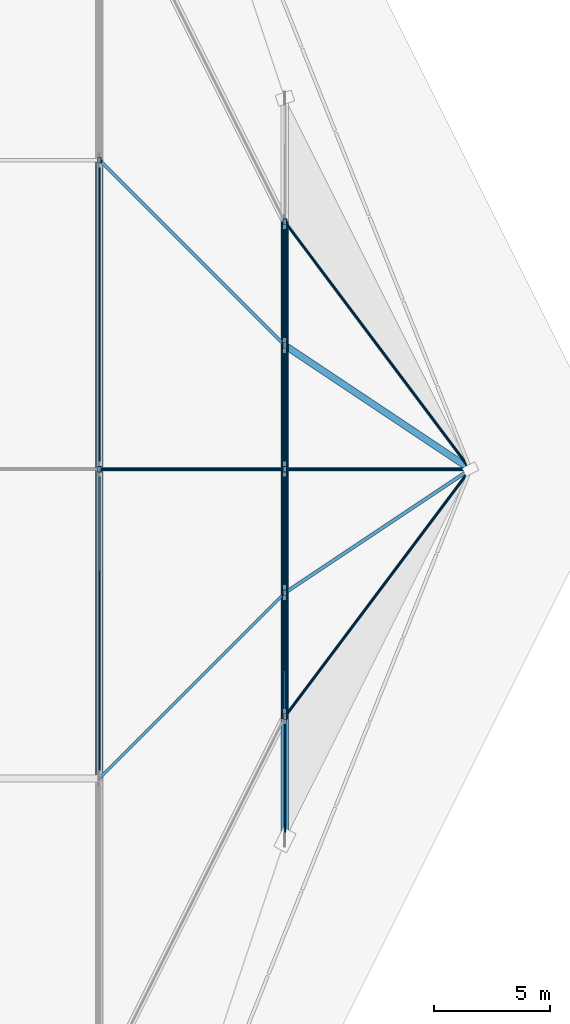
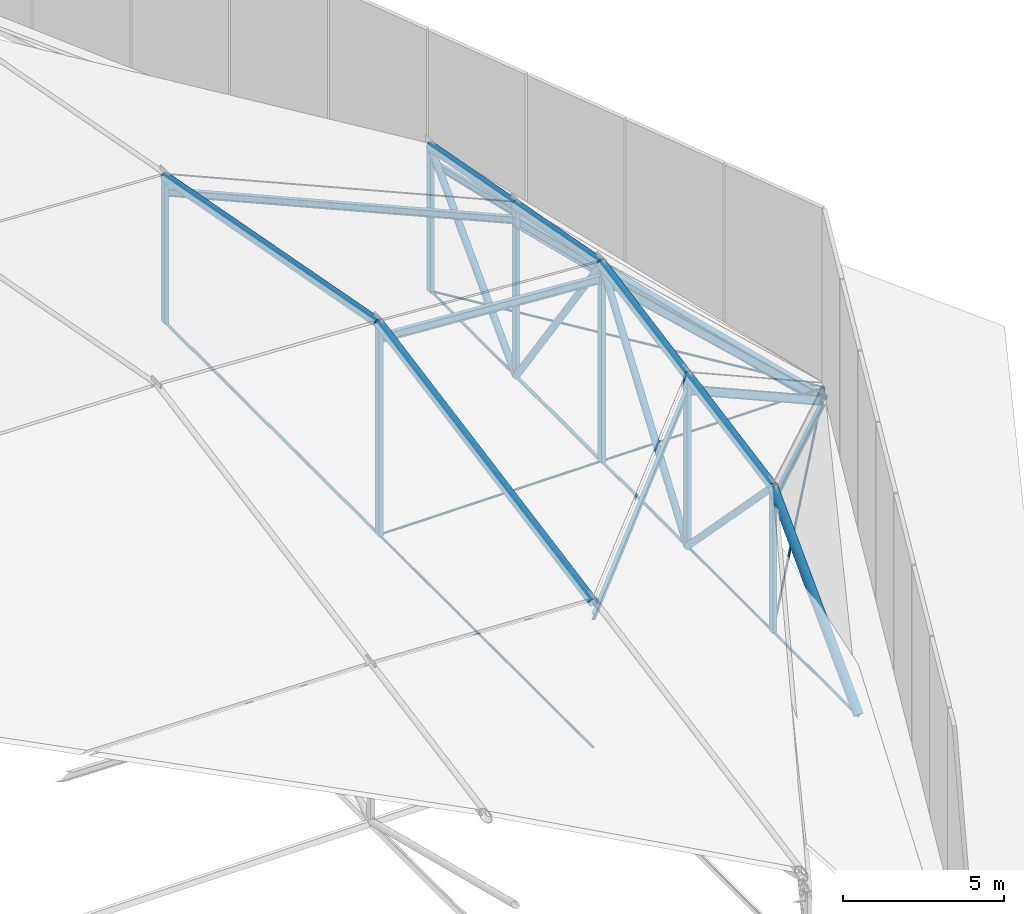
# One storey, part 16 of 30: 37 members.
"""IFC4 building model written with IfcOpenShell, lengths in metres."""

from ifc_helpers import new_model, si_unit, direction, frame, origin, origin_2d, place, context, subcontext, project, spatial, hollow_rectangle, circle, hollow_circle, i_section, extrude, material, material_profile, profile_set, type_object, element, save


model = new_model("IFC4")

# Units and contexts
model_context = context("Model", 3, precision=1e-05, world=origin(), true_north=direction((0.0, 1.0)))
body_context = subcontext(model_context, "Body", "Model", "MODEL_VIEW")
ifc_project = project(units=[si_unit("LENGTHUNIT", "METRE"), si_unit("AREAUNIT", "SQUARE_METRE"), si_unit("VOLUMEUNIT", "CUBIC_METRE"), si_unit("PLANEANGLEUNIT", "RADIAN"), si_unit("MASSUNIT", "GRAM", prefix="KILO")], contexts=[model_context])

# Site, building, storey
site_placement = place(None, origin())
site = spatial("IfcSite", under=ifc_project, at=site_placement, CompositionType="ELEMENT")
building_placement = place(site_placement, origin())
building = spatial("IfcBuilding", under=site, at=building_placement, Name="Tazarka Park Arena", CompositionType="ELEMENT")
storey_placement = place(building_placement, frame((0.0, 0.0, 29.39990234375)))
storey = spatial("IfcBuildingStorey", under=building, at=storey_placement, Name="Roof", CompositionType="ELEMENT", Elevation=29.39990234375)

# Members
ifc_material_1 = material(Name="Steel S355", Category="steel")
ifc_material_profile_1 = material_profile(ifc_material_1, hollow_circle(Radius=0.122314453125, WallThickness=0.012451171875, at=origin_2d()), Name="Steel S355")
ifc_profile_set_1 = profile_set([ifc_material_profile_1], Name="Steel S355")
member_type_1 = type_object("IfcMemberType", Name="MEM-BR-05", PredefinedType="BRACE", material=ifc_profile_set_1)
member_1_placement = place(storey_placement, frame((120.0, 53.333251953125, 5.44580078125), z_axis=(0.0, 0.696443511001, -0.717611619181), x_axis=(-1.0, 0.0, 0.0)))
element("IfcMember", 1, at=member_1_placement, inside=storey, type_object=member_type_1, Name="CBD-07-1", PredefinedType="BRACE", context=body_context, shape_type="SweptSolid", body=[
    extrude(hollow_circle(Radius=0.122314453125, WallThickness=0.012451171875, at=origin_2d()), origin(), (0.0, 0.0, 1.0), 7.658203125),
])
for number, where, z_axis, x_axis, name in (
    (2, (120.0, 58.666748046875, -0.0498046875), (0.0, 0.579154741417, 0.815217630755), (-1.0, 0.0, 0.0), "CBD-07-2"),
    (3, (120.0, 64.0, 7.457275390625), (0.0, 0.579154741417, -0.815217630755), (-1.0, 0.0, 0.0), "CBD-07-3"),
):
    element("IfcMember", number, at=place(storey_placement, frame(where, z_axis=z_axis, x_axis=x_axis)), inside=storey, type_object=member_type_1, Name=name, PredefinedType="BRACE", context=body_context, shape_type="SweptSolid", body=[
        extrude(hollow_circle(Radius=0.122314453125, WallThickness=0.012451171875, at=origin_2d()), origin(), (0.0, 0.0, 1.0), 9.208740234375),
    ])
member_2_placement = place(storey_placement, frame((120.0, 69.333251953125, -0.0498046875), z_axis=(0.0, 0.696443511001, 0.717611619181), x_axis=(-1.0, 0.0, 0.0)))
element("IfcMember", 4, at=member_2_placement, inside=storey, type_object=member_type_1, Name="CBD-07-4", PredefinedType="BRACE", context=body_context, shape_type="SweptSolid", body=[
    extrude(hollow_circle(Radius=0.122314453125, WallThickness=0.012451171875, at=origin_2d()), origin(), (0.0, 0.0, 1.0), 7.658203125),
])
ifc_material_2 = material(Name="Locked-coil steel cable S1570", Category="steel")
ifc_material_profile_2 = material_profile(ifc_material_2, circle(Radius=0.0400390625, at=origin_2d()), Name="Locked-coil steel cable S1570")
ifc_profile_set_2 = profile_set([ifc_material_profile_2], Name="Locked-coil steel cable S1570")
member_type_2 = type_object("IfcMemberType", Name="MEM-CBL-01", PredefinedType="USERDEFINED", material=ifc_profile_set_2)
member_3_placement = place(storey_placement, frame((112.0, 50.666748046875, -0.0498046875), z_axis=(0.0, 1.0, 0.0), x_axis=(-1.0, 0.0, 0.0)))
element("IfcMember", 5, at=member_3_placement, inside=storey, type_object=member_type_2, Name="CABLE CBL-01-7-3", ObjectType="CABLE", PredefinedType="USERDEFINED", context=body_context, shape_type="SweptSolid", body=[
    extrude(circle(Radius=0.0400390625, at=origin_2d()), origin(), (0.0, 0.0, 1.0), 13.333251953125),
])
member_4_placement = place(storey_placement, frame((120.0, 53.333251953125, -0.0498046875), z_axis=(0.0, 1.0, 0.0), x_axis=(-1.0, 0.0, 0.0)))
element("IfcMember", 6, at=member_4_placement, inside=storey, type_object=member_type_2, Name="CABLE CBL-01-8-2", ObjectType="CABLE", PredefinedType="USERDEFINED", context=body_context, shape_type="SweptSolid", body=[
    extrude(circle(Radius=0.0400390625, at=origin_2d()), origin(), (0.0, 0.0, 1.0), 5.33349609375),
])
member_5_placement = place(storey_placement, frame((112.0, 64.0, -0.0498046875), z_axis=(1.0, 0.0, 0.0), x_axis=(0.0, 1.0, 0.0)))
element("IfcMember", 7, at=member_5_placement, inside=storey, type_object=member_type_2, Name="CABLE TRANSVERSE 7-3", ObjectType="CABLE", PredefinedType="USERDEFINED", context=body_context, shape_type="SweptSolid", body=[
    extrude(circle(Radius=0.0400390625, at=origin_2d()), origin(), (0.0, 0.0, 1.0), 8.0),
])
member_6_placement = place(storey_placement, frame((120.0, 53.333251953125, -0.0498046875), z_axis=(0.599997070323, 0.80000219725, 0.0), x_axis=(-0.80000219725, 0.599997070323, 0.0)))
element("IfcMember", 8, at=member_6_placement, inside=storey, type_object=member_type_2, Name="CABLE TRANSVERSE 8-1", ObjectType="CABLE", PredefinedType="USERDEFINED", context=body_context, shape_type="SweptSolid", body=[
    extrude(circle(Radius=0.0400390625, at=origin_2d()), origin(), (0.0, 0.0, 1.0), 13.33349609375),
])
member_7_placement = place(storey_placement, frame((120.0, 64.0, -0.0498046875), z_axis=(1.0, 0.0, 0.0), x_axis=(0.0, 1.0, 0.0)))
element("IfcMember", 9, at=member_7_placement, inside=storey, type_object=member_type_2, Name="CABLE TRANSVERSE 8-3", ObjectType="CABLE", PredefinedType="USERDEFINED", context=body_context, shape_type="SweptSolid", body=[
    extrude(circle(Radius=0.0400390625, at=origin_2d()), origin(), (0.0, 0.0, 1.0), 8.0),
])
member_8_placement = place(storey_placement, frame((120.0, 74.666748046875, -0.0498046875), z_axis=(0.599997070323, -0.80000219725, 0.0), x_axis=(0.80000219725, 0.599997070323, 0.0)))
element("IfcMember", 10, at=member_8_placement, inside=storey, type_object=member_type_2, Name="CABLE TRANSVERSE 8-5", ObjectType="CABLE", PredefinedType="USERDEFINED", context=body_context, shape_type="SweptSolid", body=[
    extrude(circle(Radius=0.0400390625, at=origin_2d()), origin(), (0.0, 0.0, 1.0), 13.33349609375),
])
ifc_material_3 = material(Name="Locked-coil steel cable S1570", Category="steel")
ifc_material_profile_3 = material_profile(ifc_material_3, circle(Radius=0.050048828125, at=origin_2d()), Name="Locked-coil steel cable S1570")
ifc_profile_set_3 = profile_set([ifc_material_profile_3], Name="Locked-coil steel cable S1570")
member_type_3 = type_object("IfcMemberType", Name="MEM-CBL-02", PredefinedType="USERDEFINED", material=ifc_profile_set_3)
member_9_placement = place(storey_placement, frame((112.0, 64.0, -0.0498046875), z_axis=(0.0, 1.0, 0.0), x_axis=(-1.0, 0.0, 0.0)))
element("IfcMember", 11, at=member_9_placement, inside=storey, type_object=member_type_3, Name="CABLE CBL-02-7-4", ObjectType="CABLE", PredefinedType="USERDEFINED", context=body_context, shape_type="SweptSolid", body=[
    extrude(circle(Radius=0.050048828125, at=origin_2d()), origin(), (0.0, 0.0, 1.0), 13.333251953125),
])
member_10_placement = place(storey_placement, frame((120.0, 58.666748046875, -0.0498046875), z_axis=(0.0, 1.0, 0.0), x_axis=(-1.0, 0.0, 0.0)))
element("IfcMember", 12, at=member_10_placement, inside=storey, type_object=member_type_3, Name="CABLE CBL-02-8-3", ObjectType="CABLE", PredefinedType="USERDEFINED", context=body_context, shape_type="SweptSolid", body=[
    extrude(circle(Radius=0.050048828125, at=origin_2d()), origin(), (0.0, 0.0, 1.0), 5.333251953125),
])
ifc_material_4 = material(Name="Locked-coil steel cable S1570", Category="steel")
ifc_material_profile_4 = material_profile(ifc_material_4, circle(Radius=0.06005859375, at=origin_2d()), Name="Locked-coil steel cable S1570")
ifc_profile_set_4 = profile_set([ifc_material_profile_4], Name="Locked-coil steel cable S1570")
member_type_4 = type_object("IfcMemberType", Name="MEM-CBL-03", PredefinedType="USERDEFINED", material=ifc_profile_set_4)
member_11_placement = place(storey_placement, frame((120.0, 64.0, -0.0498046875), z_axis=(0.0, 1.0, 0.0), x_axis=(-1.0, 0.0, 0.0)))
element("IfcMember", 13, at=member_11_placement, inside=storey, type_object=member_type_4, Name="CABLE CBL-03-8-4", ObjectType="CABLE", PredefinedType="USERDEFINED", context=body_context, shape_type="SweptSolid", body=[
    extrude(circle(Radius=0.06005859375, at=origin_2d()), origin(), (0.0, 0.0, 1.0), 5.333251953125),
])
ifc_material_5 = material(Name="Locked-coil steel cable S1570", Category="steel")
ifc_material_profile_5 = material_profile(ifc_material_5, circle(Radius=0.044921875, at=origin_2d()), Name="Locked-coil steel cable S1570")
ifc_profile_set_5 = profile_set([ifc_material_profile_5], Name="Locked-coil steel cable S1570")
member_type_5 = type_object("IfcMemberType", Name="MEM-CBL-04", PredefinedType="USERDEFINED", material=ifc_profile_set_5)
member_12_placement = place(storey_placement, frame((120.0, 48.0, -0.0498046875), z_axis=(0.0, 1.0, 0.0), x_axis=(-1.0, 0.0, 0.0)))
element("IfcMember", 14, at=member_12_placement, inside=storey, type_object=member_type_5, Name="CABLE CBL-04-8-1", ObjectType="CABLE", PredefinedType="USERDEFINED", context=body_context, shape_type="SweptSolid", body=[
    extrude(circle(Radius=0.044921875, at=origin_2d()), origin(), (0.0, 0.0, 1.0), 5.333251953125),
])
member_13_placement = place(storey_placement, frame((120.0, 69.333251953125, -0.0498046875), z_axis=(0.0, 1.0, 0.0), x_axis=(-1.0, 0.0, 0.0)))
element("IfcMember", 15, at=member_13_placement, inside=storey, type_object=member_type_5, Name="CABLE CBL-04-8-5", ObjectType="CABLE", PredefinedType="USERDEFINED", context=body_context, shape_type="SweptSolid", body=[
    extrude(circle(Radius=0.044921875, at=origin_2d()), origin(), (0.0, 0.0, 1.0), 5.33349609375),
])
ifc_material_6 = material(Name="Steel S460", Category="steel")
ifc_material_profile_6 = material_profile(ifc_material_6, hollow_circle(Radius=0.161865234375, WallThickness=0.01611328125, at=origin_2d()), Name="Steel S460")
ifc_profile_set_6 = profile_set([ifc_material_profile_6], Name="Steel S460")
member_type_6 = type_object("IfcMemberType", Name="MEM-CH-03", PredefinedType="CHORD", material=ifc_profile_set_6)
for number, where, z_axis, x_axis, name in (
    (16, (112.0, 50.666748046875, 5.46484375), (0.0, 0.982682430789, 0.185297706998), (-1.0, 0.0, 0.0), "CABLE ARCH CHORD 7-3"),
    (17, (112.0, 64.0, 7.97900390625), (0.0, 0.982682430789, -0.185297706998), (-1.0, 0.0, 0.0), "CABLE ARCH CHORD 7-4"),
):
    element("IfcMember", number, at=place(storey_placement, frame(where, z_axis=z_axis, x_axis=x_axis)), inside=storey, type_object=member_type_6, Name=name, PredefinedType="CHORD", context=body_context, shape_type="SweptSolid", body=[
        extrude(hollow_circle(Radius=0.161865234375, WallThickness=0.01611328125, at=origin_2d()), origin(), (0.0, 0.0, 1.0), 13.568115234375),
    ])
member_14_placement = place(storey_placement, frame((120.0, 48.0, 0.0), z_axis=(0.0, 0.699685428343, 0.714451048964), x_axis=(-1.0, 0.0, 0.0)))
element("IfcMember", 18, at=member_14_placement, inside=storey, type_object=member_type_6, Name="CABLE ARCH CHORD 8-1", PredefinedType="CHORD", context=body_context, shape_type="SweptSolid", body=[
    extrude(hollow_circle(Radius=0.161865234375, WallThickness=0.01611328125, at=origin_2d()), origin(), (0.0, 0.0, 1.0), 7.622314453125),
])
member_15_placement = place(storey_placement, frame((120.0, 53.333251953125, 5.44580078125), z_axis=(0.0, 0.982685304414, 0.185282466762), x_axis=(-1.0, 0.0, 0.0)))
element("IfcMember", 19, at=member_15_placement, inside=storey, type_object=member_type_6, Name="CABLE ARCH CHORD 8-2", PredefinedType="CHORD", context=body_context, shape_type="SweptSolid", body=[
    extrude(hollow_circle(Radius=0.161865234375, WallThickness=0.01611328125, at=origin_2d()), origin(), (0.0, 0.0, 1.0), 5.427490234375),
])
for number, where, z_axis, x_axis, name in (
    (20, (120.0, 58.666748046875, 6.451416015625), (0.0, 0.982675568341, 0.185334096661), (-1.0, 0.0, 0.0), "CABLE ARCH CHORD 8-3"),
    (21, (120.0, 64.0, 7.457275390625), (0.0, 0.982675568341, -0.185334096661), (-1.0, 0.0, 0.0), "CABLE ARCH CHORD 8-4"),
):
    element("IfcMember", number, at=place(storey_placement, frame(where, z_axis=z_axis, x_axis=x_axis)), inside=storey, type_object=member_type_6, Name=name, PredefinedType="CHORD", context=body_context, shape_type="SweptSolid", body=[
        extrude(hollow_circle(Radius=0.161865234375, WallThickness=0.01611328125, at=origin_2d()), origin(), (0.0, 0.0, 1.0), 5.42724609375),
    ])
member_16_placement = place(storey_placement, frame((120.0, 69.333251953125, 6.451416015625), z_axis=(0.0, 0.982685304414, -0.185282466762), x_axis=(-1.0, 0.0, 0.0)))
element("IfcMember", 22, at=member_16_placement, inside=storey, type_object=member_type_6, Name="CABLE ARCH CHORD 8-5", PredefinedType="CHORD", context=body_context, shape_type="SweptSolid", body=[
    extrude(hollow_circle(Radius=0.161865234375, WallThickness=0.01611328125, at=origin_2d()), origin(), (0.0, 0.0, 1.0), 5.427490234375),
])
ifc_material_7 = material(Name="Steel S355", Category="steel")
ifc_material_profile_7 = material_profile(ifc_material_7, i_section(OverallWidth=0.1201171875, OverallDepth=0.239990234375, WebThickness=0.006103515625, FlangeThickness=0.009765625, FilletRadius=0.014892578125, at=origin_2d()), Name="Steel S355")
ifc_profile_set_7 = profile_set([ifc_material_profile_7], Name="Steel S355")
member_type_7 = type_object("IfcMemberType", Name="MEM-PR-01", PredefinedType="PURLIN", material=ifc_profile_set_7)
member_17_placement = place(storey_placement, frame((112.0, 50.666748046875, 4.90478515625), z_axis=(0.704432245985, 0.704432245985, 0.086893162179), x_axis=(-0.707106781187, 0.707106781187, 0.0)))
element("IfcMember", 23, at=member_17_placement, inside=storey, type_object=member_type_7, Name="RPM-06-02", PredefinedType="PURLIN", context=body_context, shape_type="SweptSolid", body=[
    extrude(i_section(OverallWidth=0.1201171875, OverallDepth=0.239990234375, WebThickness=0.006103515625, FlangeThickness=0.009765625, FilletRadius=0.014892578125, at=origin_2d()), origin(), (0.0, 0.0, 1.0), 11.356689453125),
])
for number, where, z_axis, x_axis, name in (
    (24, (120.0, 53.333251953125, 4.8857421875), (0.555456986462, 0.740614965683, -0.378096560151), (-0.80000219725, 0.599997070323, 0.0), "RPM-07-01"),
    (25, (120.0, 74.666748046875, 4.8857421875), (0.555456986462, -0.740614965683, -0.378096560151), (0.80000219725, 0.599997070323, 0.0), "RPM-07-05"),
):
    element("IfcMember", number, at=place(storey_placement, frame(where, z_axis=z_axis, x_axis=x_axis)), inside=storey, type_object=member_type_7, Name=name, PredefinedType="PURLIN", context=body_context, shape_type="SweptSolid", body=[
        extrude(i_section(OverallWidth=0.1201171875, OverallDepth=0.239990234375, WebThickness=0.006103515625, FlangeThickness=0.009765625, FilletRadius=0.014892578125, at=origin_2d()), origin(), (0.0, 0.0, 1.0), 14.402587890625),
    ])
ifc_material_8 = material(Name="Steel S355", Category="steel")
ifc_material_profile_8 = material_profile(ifc_material_8, i_section(OverallWidth=0.14990234375, OverallDepth=0.300048828125, WebThickness=0.007080078125, FlangeThickness=0.0107421875, FilletRadius=0.014892578125, at=origin_2d()), Name="Steel S355")
ifc_profile_set_8 = profile_set([ifc_material_profile_8], Name="Steel S355")
member_type_8 = type_object("IfcMemberType", Name="MEM-PR-02", PredefinedType="PURLIN", material=ifc_profile_set_8)
member_18_placement = place(storey_placement, frame((112.0, 64.0, 7.419189453125), z_axis=(0.997878213886, 0.0, -0.06510814274), x_axis=(0.0, 1.0, 0.0)))
element("IfcMember", 26, at=member_18_placement, inside=storey, type_object=member_type_8, Name="RPM-06-03", PredefinedType="PURLIN", context=body_context, shape_type="SweptSolid", body=[
    extrude(i_section(OverallWidth=0.14990234375, OverallDepth=0.300048828125, WebThickness=0.007080078125, FlangeThickness=0.0107421875, FilletRadius=0.014892578125, at=origin_2d()), origin(), (0.0, 0.0, 1.0), 8.01708984375),
])
member_19_placement = place(storey_placement, frame((120.0, 58.666748046875, 5.8916015625), z_axis=(0.690928872987, 0.460612220166, -0.557183699606), x_axis=(-0.554694336455, 0.832054200822, 0.0)))
element("IfcMember", 27, at=member_19_placement, inside=storey, type_object=member_type_8, Name="RPM-07-02", PredefinedType="PURLIN", context=body_context, shape_type="SweptSolid", body=[
    extrude(i_section(OverallWidth=0.14990234375, OverallDepth=0.300048828125, WebThickness=0.007080078125, FlangeThickness=0.0107421875, FilletRadius=0.014892578125, at=origin_2d()), origin(), (0.0, 0.0, 1.0), 11.57861328125),
])
ifc_material_9 = material(Name="Steel S355", Category="steel")
ifc_material_profile_9 = material_profile(ifc_material_9, i_section(OverallWidth=0.135009765625, OverallDepth=0.27001953125, WebThickness=0.006591796875, FlangeThickness=0.01025390625, FilletRadius=0.014892578125, at=origin_2d()), Name="Steel S355")
ifc_profile_set_9 = profile_set([ifc_material_profile_9], Name="Steel S355")
member_type_9 = type_object("IfcMemberType", Name="MEM-PR-03", PredefinedType="PURLIN", material=ifc_profile_set_9)
member_20_placement = place(storey_placement, frame((112.0, 77.333251953125, 4.90478515625), z_axis=(0.704432245985, -0.704432245985, 0.086893162179), x_axis=(0.707106781187, 0.707106781187, 0.0)))
element("IfcMember", 28, at=member_20_placement, inside=storey, type_object=member_type_9, Name="RPM-06-04", PredefinedType="PURLIN", context=body_context, shape_type="SweptSolid", body=[
    extrude(i_section(OverallWidth=0.135009765625, OverallDepth=0.27001953125, WebThickness=0.006591796875, FlangeThickness=0.01025390625, FilletRadius=0.014892578125, at=origin_2d()), origin(), (0.0, 0.0, 1.0), 11.356689453125),
])
member_21_placement = place(storey_placement, frame((120.0, 64.0, 6.897216796875), z_axis=(0.731494586196, 0.0, -0.681847248558), x_axis=(0.0, 1.0, 0.0)))
element("IfcMember", 29, at=member_21_placement, inside=storey, type_object=member_type_9, Name="RPM-07-03", PredefinedType="PURLIN", context=body_context, shape_type="SweptSolid", body=[
    extrude(i_section(OverallWidth=0.135009765625, OverallDepth=0.27001953125, WebThickness=0.006591796875, FlangeThickness=0.01025390625, FilletRadius=0.014892578125, at=origin_2d()), origin(), (0.0, 0.0, 1.0), 10.9365234375),
])
ifc_material_10 = material(Name="Steel S355", Category="steel")
ifc_material_profile_10 = material_profile(ifc_material_10, i_section(OverallWidth=0.300048828125, OverallDepth=0.35009765625, WebThickness=0.010009765625, FlangeThickness=0.017578125, FilletRadius=0.027099609375, at=origin_2d()), Name="Steel S355")
ifc_profile_set_10 = profile_set([ifc_material_profile_10], Name="Steel S355")
member_type_10 = type_object("IfcMemberType", Name="MEM-PR-04", PredefinedType="PURLIN", material=ifc_profile_set_10)
member_22_placement = place(storey_placement, frame((120.0, 69.333251953125, 5.8916015625), z_axis=(0.690928872987, -0.460612220166, -0.557183699606), x_axis=(0.554694336455, 0.832054200822, 0.0)))
element("IfcMember", 30, at=member_22_placement, inside=storey, type_object=member_type_10, Name="RPM-07-04", PredefinedType="PURLIN", context=body_context, shape_type="SweptSolid", body=[
    extrude(i_section(OverallWidth=0.300048828125, OverallDepth=0.35009765625, WebThickness=0.010009765625, FlangeThickness=0.017578125, FilletRadius=0.027099609375, at=origin_2d()), origin(), (0.0, 0.0, 1.0), 11.57861328125),
])
ifc_material_11 = material(Name="Steel S355", Category="steel")
ifc_material_profile_11 = material_profile(ifc_material_11, hollow_rectangle(XDim=0.14990234375, YDim=0.25, WallThickness=0.010009765625, at=origin_2d()), Name="Steel S355")
ifc_profile_set_11 = profile_set([ifc_material_profile_11], Name="Steel S355")
member_type_11 = type_object("IfcMemberType", Name="MEM-PT-02", PredefinedType="POST", material=ifc_profile_set_11)
member_23_placement = place(storey_placement, frame((112.0, 64.0, -0.0498046875), z_axis=(0.0, 0.0, 1.0), x_axis=(1.0, 0.0, 0.0)))
element("IfcMember", 31, at=member_23_placement, inside=storey, type_object=member_type_11, Name="CBH-06-3", PredefinedType="POST", context=body_context, shape_type="SweptSolid", body=[
    extrude(hollow_rectangle(XDim=0.14990234375, YDim=0.25, WallThickness=0.010009765625, at=origin_2d()), origin(), (0.0, 0.0, 1.0), 8.02880859375),
])
member_24_placement = place(storey_placement, frame((112.0, 77.333251953125, -0.0498046875), z_axis=(0.0, 0.0, 1.0), x_axis=(1.0, 0.0, 0.0)))
element("IfcMember", 32, at=member_24_placement, inside=storey, type_object=member_type_11, Name="CBH-06-4", PredefinedType="POST", context=body_context, shape_type="SweptSolid", body=[
    extrude(hollow_rectangle(XDim=0.14990234375, YDim=0.25, WallThickness=0.010009765625, at=origin_2d()), origin(), (0.0, 0.0, 1.0), 5.5146484375),
])
member_25_placement = place(storey_placement, frame((120.0, 53.333251953125, -0.0498046875), z_axis=(0.0, 0.0, 1.0), x_axis=(1.0, 0.0, 0.0)))
element("IfcMember", 33, at=member_25_placement, inside=storey, type_object=member_type_11, Name="CBH-07-1", PredefinedType="POST", context=body_context, shape_type="SweptSolid", body=[
    extrude(hollow_rectangle(XDim=0.14990234375, YDim=0.25, WallThickness=0.010009765625, at=origin_2d()), origin(), (0.0, 0.0, 1.0), 5.49560546875),
])
member_26_placement = place(storey_placement, frame((120.0, 58.666748046875, -0.0498046875), z_axis=(0.0, 0.0, 1.0), x_axis=(1.0, 0.0, 0.0)))
element("IfcMember", 34, at=member_26_placement, inside=storey, type_object=member_type_11, Name="CBH-07-2", PredefinedType="POST", context=body_context, shape_type="SweptSolid", body=[
    extrude(hollow_rectangle(XDim=0.14990234375, YDim=0.25, WallThickness=0.010009765625, at=origin_2d()), origin(), (0.0, 0.0, 1.0), 6.501220703125),
])
member_27_placement = place(storey_placement, frame((120.0, 64.0, -0.0498046875), z_axis=(0.0, 0.0, 1.0), x_axis=(1.0, 0.0, 0.0)))
element("IfcMember", 35, at=member_27_placement, inside=storey, type_object=member_type_11, Name="CBH-07-3", PredefinedType="POST", context=body_context, shape_type="SweptSolid", body=[
    extrude(hollow_rectangle(XDim=0.14990234375, YDim=0.25, WallThickness=0.010009765625, at=origin_2d()), origin(), (0.0, 0.0, 1.0), 7.507080078125),
])
member_28_placement = place(storey_placement, frame((120.0, 69.333251953125, -0.0498046875), z_axis=(0.0, 0.0, 1.0), x_axis=(1.0, 0.0, 0.0)))
element("IfcMember", 36, at=member_28_placement, inside=storey, type_object=member_type_11, Name="CBH-07-4", PredefinedType="POST", context=body_context, shape_type="SweptSolid", body=[
    extrude(hollow_rectangle(XDim=0.14990234375, YDim=0.25, WallThickness=0.010009765625, at=origin_2d()), origin(), (0.0, 0.0, 1.0), 6.501220703125),
])
member_29_placement = place(storey_placement, frame((120.0, 74.666748046875, -0.0498046875), z_axis=(0.0, 0.0, 1.0), x_axis=(1.0, 0.0, 0.0)))
element("IfcMember", 37, at=member_29_placement, inside=storey, type_object=member_type_11, Name="CBH-07-5", PredefinedType="POST", context=body_context, shape_type="SweptSolid", body=[
    extrude(hollow_rectangle(XDim=0.14990234375, YDim=0.25, WallThickness=0.010009765625, at=origin_2d()), origin(), (0.0, 0.0, 1.0), 5.49560546875),
])

save(model, "model.ifc")
